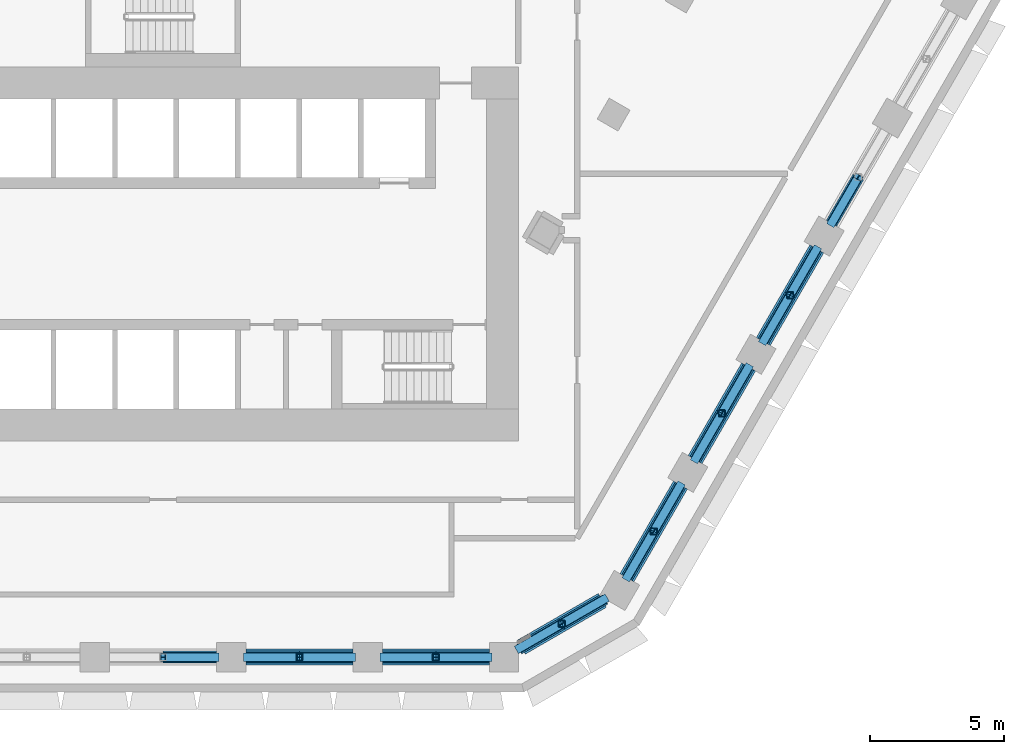
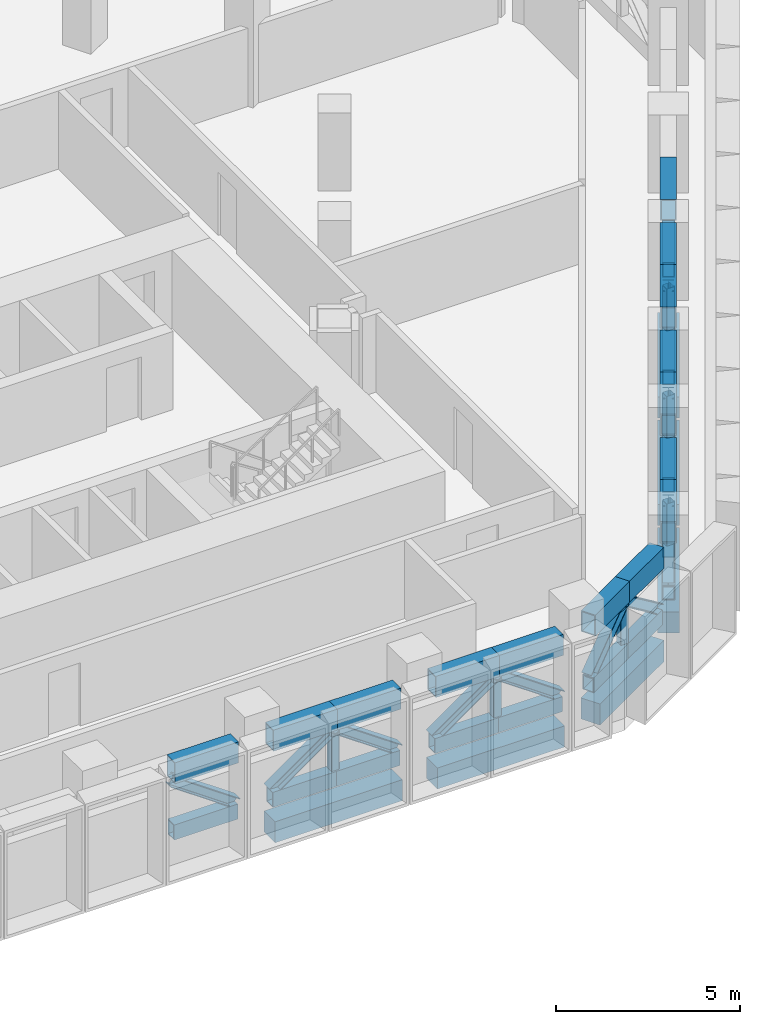
# One storey, part 4 of 22: 48 members, 6 beams.
"""IFC4 building model written with IfcOpenShell, lengths in metres."""

from ifc_helpers import new_model, si_unit, direction, frame, origin, origin_2d, place, context, subcontext, project, spatial, rectangle, hollow_rectangle, i_section, extrude, material, material_profile, profile_set, type_object, element, save


model = new_model("IFC4")

# Units and contexts
model_context = context("Model", 3, precision=1e-05, world=origin(), true_north=direction((0.0, 1.0)))
body_context = subcontext(model_context, "Body", "Model", "MODEL_VIEW")
ifc_project = project(units=[si_unit("LENGTHUNIT", "METRE"), si_unit("AREAUNIT", "SQUARE_METRE"), si_unit("VOLUMEUNIT", "CUBIC_METRE"), si_unit("PLANEANGLEUNIT", "RADIAN"), si_unit("MASSUNIT", "GRAM", prefix="KILO")], contexts=[model_context])

# Site, building, storey
site_placement = place(None, origin())
site = spatial("IfcSite", under=ifc_project, at=site_placement, CompositionType="ELEMENT")
building_placement = place(site_placement, origin())
building = spatial("IfcBuilding", under=site, at=building_placement, Name="Beryl Residences", CompositionType="ELEMENT")
storey_placement = place(building_placement, frame((0.0, 0.0, 62.39990234375)))
storey = spatial("IfcBuildingStorey", under=building, at=storey_placement, Name="L19", CompositionType="ELEMENT", Elevation=62.39990234375)

# Members
ifc_material_1 = material(Name="Steel S355", Category="steel")
ifc_material_profile_1 = material_profile(ifc_material_1, hollow_rectangle(XDim=0.35009765625, YDim=0.5, WallThickness=0.02490234375, at=origin_2d()))
ifc_profile_set_1 = profile_set([ifc_material_profile_1], Name="Steel S355")
member_type_1 = type_object("IfcMemberType", Name="BB1 belt truss bottom chord WB 500x350x25", PredefinedType="CHORD", material=ifc_profile_set_1)
for number, where, z_axis, x_axis, name in (
    (1, (0.0009765625, -27.10009765625, 0.25), (1.0, 0.0, 0.0), (0.0, 1.0, 0.0), "Belt truss BB1-S-2b L19"),
    (2, (3.10302734375, -27.10009765625, 0.25), (1.0, 0.0, 0.0), (0.0, 1.0, 0.0), "Belt truss BB1-S-3a L19"),
    (3, (5.10498046875, -27.10009765625, 0.25), (1.0, 0.0, 0.0), (0.0, 1.0, 0.0), "Belt truss BB1-S-3b L19"),
    (4, (8.20703125, -27.10009765625, 0.25), (1.0, 0.0, 0.0), (0.0, 1.0, 0.0), "Belt truss BB1-S-4a L19"),
    (5, (10.208984375, -27.10009765625, 0.25), (1.0, 0.0, 0.0), (0.0, 1.0, 0.0), "Belt truss BB1-S-4b L19"),
):
    element("IfcMember", number, at=place(storey_placement, frame(where, z_axis=z_axis, x_axis=x_axis)), inside=storey, type_object=member_type_1, Name=name, PredefinedType="CHORD", context=body_context, shape_type="SweptSolid", body=[
        extrude(hollow_rectangle(XDim=0.35009765625, YDim=0.5, WallThickness=0.02490234375, at=origin_2d()), origin(), (0.0, 0.0, 1.0), 2.001953125),
    ])
member_1_placement = place(storey_placement, frame((13.31103515625, -26.781982421875, 0.25), z_axis=(0.866017611601, 0.500013496215, 0.0), x_axis=(-0.500013496215, 0.866017611601, 0.0)))
element("IfcMember", 6, at=member_1_placement, inside=storey, type_object=member_type_1, Name="Belt truss BB1-S-5a L19", PredefinedType="CHORD", context=body_context, shape_type="SweptSolid", body=[
    extrude(hollow_rectangle(XDim=0.35009765625, YDim=0.5, WallThickness=0.02490234375, at=origin_2d()), origin(), (0.0, 0.0, 1.0), 1.86376953125),
])
member_2_placement = place(storey_placement, frame((14.925048828125, -25.85009765625, 0.25), z_axis=(0.866091842883, 0.499884906444, 0.0), x_axis=(-0.499884906444, 0.866091842883, 0.0)))
element("IfcMember", 7, at=member_2_placement, inside=storey, type_object=member_type_1, Name="Belt truss BB1-S-5b L19", PredefinedType="CHORD", context=body_context, shape_type="SweptSolid", body=[
    extrude(hollow_rectangle(XDim=0.35009765625, YDim=0.5, WallThickness=0.02490234375, at=origin_2d()), origin(), (0.0, 0.0, 1.0), 1.86474609375),
])
for number, where, z_axis, x_axis, name in (
    (8, (17.364990234375, -24.1240234375, 0.25), (0.499915960366, 0.866073918653, 0.0), (-0.866073918653, 0.499915960366, 0.0), "Belt truss BB1-SE-0a L19"),
    (9, (18.365966796875, -22.389892578125, 0.25), (0.499968756647, 0.866043441391, 0.0), (-0.866043441391, 0.499968756647, 0.0), "Belt truss BB1-SE-0b L19"),
    (10, (19.9169921875, -19.7041015625, 0.25), (0.499915960366, 0.866073918653, 0.0), (-0.866073918653, 0.499915960366, 0.0), "Belt truss BB1-SE-1a L19"),
):
    element("IfcMember", number, at=place(storey_placement, frame(where, z_axis=z_axis, x_axis=x_axis)), inside=storey, type_object=member_type_1, Name=name, PredefinedType="CHORD", context=body_context, shape_type="SweptSolid", body=[
        extrude(hollow_rectangle(XDim=0.35009765625, YDim=0.5, WallThickness=0.02490234375, at=origin_2d()), origin(), (0.0, 0.0, 1.0), 2.002197265625),
    ])
member_3_placement = place(storey_placement, frame((20.91796875, -17.969970703125, 0.25), z_axis=(0.49975762727, 0.866165292531, 0.0), x_axis=(-0.866165292531, 0.49975762727, 0.0)))
element("IfcMember", 11, at=member_3_placement, inside=storey, type_object=member_type_1, Name="Belt truss BB1-SE-1b L19", PredefinedType="CHORD", context=body_context, shape_type="SweptSolid", body=[
    extrude(hollow_rectangle(XDim=0.35009765625, YDim=0.5, WallThickness=0.02490234375, at=origin_2d()), origin(), (0.0, 0.0, 1.0), 2.0029296875),
])
for number, where, z_axis, x_axis, name in (
    (12, (22.468994140625, -15.282958984375, 0.25), (0.499968756647, 0.866043441391, 0.0), (-0.866043441391, 0.499968756647, 0.0), "Belt truss BB1-SE-2a L19"),
    (13, (23.469970703125, -13.549072265625, 0.25), (0.499915960366, 0.866073918653, 0.0), (-0.866073918653, 0.499915960366, 0.0), "Belt truss BB1-SE-2b L19"),
    (14, (25.02099609375, -10.863037109375, 0.25), (0.499915960366, 0.866073918653, 0.0), (-0.866073918653, 0.499915960366, 0.0), "Belt truss BB1-SE-3a L19"),
):
    element("IfcMember", number, at=place(storey_placement, frame(where, z_axis=z_axis, x_axis=x_axis)), inside=storey, type_object=member_type_1, Name=name, PredefinedType="CHORD", context=body_context, shape_type="SweptSolid", body=[
        extrude(hollow_rectangle(XDim=0.35009765625, YDim=0.5, WallThickness=0.02490234375, at=origin_2d()), origin(), (0.0, 0.0, 1.0), 2.002197265625),
    ])
ifc_material_2 = material(Name="Steel S355", Category="steel")
ifc_material_profile_2 = material_profile(ifc_material_2, i_section(OverallWidth=0.31103515625, OverallDepth=0.326904296875, WebThickness=0.015625, FlangeThickness=0.02490234375, FilletRadius=0.0166015625, at=origin_2d()))
ifc_profile_set_2 = profile_set([ifc_material_profile_2], Name="Steel S355")
member_type_2 = type_object("IfcMemberType", Name="BD1 belt truss diagonal 310UC158", PredefinedType="BRACE", material=ifc_profile_set_2)
for number, where, z_axis, x_axis, name in (
    (15, (2.0029296875, -27.10009765625, 0.5), (-0.81946659841, 0.0, 0.573126944132), (0.0, -1.0, 0.0), "Belt truss BD1-S-2b L19"),
    (16, (3.10302734375, -27.10009765625, 0.5), (0.81946659841, 0.0, 0.573126944132), (0.0, 1.0, 0.0), "Belt truss BD1-S-3a L19"),
    (17, (7.10693359375, -27.10009765625, 0.5), (-0.81946659841, 0.0, 0.573126944132), (0.0, -1.0, 0.0), "Belt truss BD1-S-3b L19"),
    (18, (8.20703125, -27.10009765625, 0.5), (0.81946659841, 0.0, 0.573126944132), (0.0, 1.0, 0.0), "Belt truss BD1-S-4a L19"),
    (19, (12.2109375, -27.10009765625, 0.5), (-0.81946659841, 0.0, 0.573126944132), (0.0, -1.0, 0.0), "Belt truss BD1-S-4b L19"),
):
    element("IfcMember", number, at=place(storey_placement, frame(where, z_axis=z_axis, x_axis=x_axis)), inside=storey, type_object=member_type_2, Name=name, PredefinedType="BRACE", context=body_context, shape_type="SweptSolid", body=[
        extrude(i_section(OverallWidth=0.31103515625, OverallDepth=0.326904296875, WebThickness=0.015625, FlangeThickness=0.02490234375, FilletRadius=0.0166015625, at=origin_2d()), origin(), (0.0, 0.0, 1.0), 2.443115234375),
    ])
member_4_placement = place(storey_placement, frame((13.31103515625, -26.781982421875, 0.5), z_axis=(0.692393537395, 0.399767982489, 0.600646942514), x_axis=(-0.500013496215, 0.866017611601, 0.0)))
element("IfcMember", 20, at=member_4_placement, inside=storey, type_object=member_type_2, Name="Belt truss BD1-S-5a L19", PredefinedType="BRACE", context=body_context, shape_type="SweptSolid", body=[
    extrude(i_section(OverallWidth=0.31103515625, OverallDepth=0.326904296875, WebThickness=0.015625, FlangeThickness=0.02490234375, FilletRadius=0.0166015625, at=origin_2d()), origin(), (0.0, 0.0, 1.0), 2.3310546875),
])
member_5_placement = place(storey_placement, frame((16.5400390625, -24.91796875, 0.5), z_axis=(-0.692582551799, -0.399740012512, 0.600447609156), x_axis=(0.499884906444, -0.866091842883, 0.0)))
element("IfcMember", 21, at=member_5_placement, inside=storey, type_object=member_type_2, Name="Belt truss BD1-S-5b L19", PredefinedType="BRACE", context=body_context, shape_type="SweptSolid", body=[
    extrude(i_section(OverallWidth=0.31103515625, OverallDepth=0.326904296875, WebThickness=0.015625, FlangeThickness=0.02490234375, FilletRadius=0.0166015625, at=origin_2d()), origin(), (0.0, 0.0, 1.0), 2.331787109375),
])
member_6_placement = place(storey_placement, frame((17.364990234375, -24.1240234375, 0.5), z_axis=(0.409687048976, 0.709757831433, 0.573062250214), x_axis=(-0.866073918653, 0.499915960366, 0.0)))
element("IfcMember", 22, at=member_6_placement, inside=storey, type_object=member_type_2, Name="Belt truss BD1-SE-0a L19", PredefinedType="BRACE", context=body_context, shape_type="SweptSolid", body=[
    extrude(i_section(OverallWidth=0.31103515625, OverallDepth=0.326904296875, WebThickness=0.015625, FlangeThickness=0.02490234375, FilletRadius=0.0166015625, at=origin_2d()), origin(), (0.0, 0.0, 1.0), 2.443359375),
])
member_7_placement = place(storey_placement, frame((19.366943359375, -20.656005859375, 0.5), z_axis=(-0.409716105686, -0.709708239654, 0.573102894173), x_axis=(0.866043441391, -0.499968756647, 0.0)))
element("IfcMember", 23, at=member_7_placement, inside=storey, type_object=member_type_2, Name="Belt truss BD1-SE-0b L19", PredefinedType="BRACE", context=body_context, shape_type="SweptSolid", body=[
    extrude(i_section(OverallWidth=0.31103515625, OverallDepth=0.326904296875, WebThickness=0.015625, FlangeThickness=0.02490234375, FilletRadius=0.0166015625, at=origin_2d()), origin(), (0.0, 0.0, 1.0), 2.443115234375),
])
member_8_placement = place(storey_placement, frame((19.9169921875, -19.7041015625, 0.5), z_axis=(0.409687048976, 0.709757831433, 0.573062250214), x_axis=(-0.866073918653, 0.499915960366, 0.0)))
element("IfcMember", 24, at=member_8_placement, inside=storey, type_object=member_type_2, Name="Belt truss BD1-SE-1a L19", PredefinedType="BRACE", context=body_context, shape_type="SweptSolid", body=[
    extrude(i_section(OverallWidth=0.31103515625, OverallDepth=0.326904296875, WebThickness=0.015625, FlangeThickness=0.02490234375, FilletRadius=0.0166015625, at=origin_2d()), origin(), (0.0, 0.0, 1.0), 2.443359375),
])
member_9_placement = place(storey_placement, frame((21.9189453125, -16.235107421875, 0.5), z_axis=(-0.409599891397, -0.709906543479, 0.572940335893), x_axis=(0.866165292531, -0.49975762727, 0.0)))
element("IfcMember", 25, at=member_9_placement, inside=storey, type_object=member_type_2, Name="Belt truss BD1-SE-1b L19", PredefinedType="BRACE", context=body_context, shape_type="SweptSolid", body=[
    extrude(i_section(OverallWidth=0.31103515625, OverallDepth=0.326904296875, WebThickness=0.015625, FlangeThickness=0.02490234375, FilletRadius=0.0166015625, at=origin_2d()), origin(), (0.0, 0.0, 1.0), 2.44384765625),
])
member_10_placement = place(storey_placement, frame((22.468994140625, -15.282958984375, 0.5), z_axis=(0.409716105686, 0.709708239654, 0.573102894173), x_axis=(-0.866043441391, 0.499968756647, 0.0)))
element("IfcMember", 26, at=member_10_placement, inside=storey, type_object=member_type_2, Name="Belt truss BD1-SE-2a L19", PredefinedType="BRACE", context=body_context, shape_type="SweptSolid", body=[
    extrude(i_section(OverallWidth=0.31103515625, OverallDepth=0.326904296875, WebThickness=0.015625, FlangeThickness=0.02490234375, FilletRadius=0.0166015625, at=origin_2d()), origin(), (0.0, 0.0, 1.0), 2.443115234375),
])
for number, where, z_axis, x_axis, name in (
    (27, (24.470947265625, -11.81494140625, 0.5), (-0.409687048976, -0.709757831433, 0.573062250214), (0.866073918653, -0.499915960366, 0.0), "Belt truss BD1-SE-2b L19"),
    (28, (25.02099609375, -10.863037109375, 0.5), (0.409687048976, 0.709757831433, 0.573062250214), (-0.866073918653, 0.499915960366, 0.0), "Belt truss BD1-SE-3a L19"),
):
    element("IfcMember", number, at=place(storey_placement, frame(where, z_axis=z_axis, x_axis=x_axis)), inside=storey, type_object=member_type_2, Name=name, PredefinedType="BRACE", context=body_context, shape_type="SweptSolid", body=[
        extrude(i_section(OverallWidth=0.31103515625, OverallDepth=0.326904296875, WebThickness=0.015625, FlangeThickness=0.02490234375, FilletRadius=0.0166015625, at=origin_2d()), origin(), (0.0, 0.0, 1.0), 2.443359375),
    ])
ifc_material_3 = material(Name="Steel S355", Category="steel")
ifc_material_profile_3 = material_profile(ifc_material_3, hollow_rectangle(XDim=0.25, YDim=0.25, WallThickness=0.009033203125, InnerFilletRadius=0.009033203125, OuterFilletRadius=0.01806640625, at=origin_2d()))
ifc_profile_set_3 = profile_set([ifc_material_profile_3], Name="Steel S355")
member_type_3 = type_object("IfcMemberType", Name="BQ1 belt truss post SHS 250x250x9", PredefinedType="POST", material=ifc_profile_set_3)
for number, where, z_axis, x_axis, name in (
    (29, (5.10498046875, -27.10009765625, 0.5), (0.0, 0.0, 1.0), (1.0, 0.0, 0.0), "Belt truss BQ1-S-3 L19"),
    (30, (10.208984375, -27.10009765625, 0.5), (0.0, 0.0, 1.0), (1.0, 0.0, 0.0), "Belt truss BQ1-S-4 L19"),
    (31, (14.925048828125, -25.85009765625, 0.5), (0.0, 0.0, 1.0), (1.0, 0.0, 0.0), "Belt truss BQ1-S-5 L19"),
    (32, (18.365966796875, -22.389892578125, 0.5), (0.0, 0.0, 1.0), (1.0, 0.0, 0.0), "Belt truss BQ1-SE-0 L19"),
    (33, (20.91796875, -17.969970703125, 0.5), (0.0, 0.0, 1.0), (1.0, 0.0, 0.0), "Belt truss BQ1-SE-1 L19"),
    (34, (23.469970703125, -13.549072265625, 0.5), (0.0, 0.0, 1.0), (1.0, 0.0, 0.0), "Belt truss BQ1-SE-2 L19"),
):
    element("IfcMember", number, at=place(storey_placement, frame(where, z_axis=z_axis, x_axis=x_axis)), inside=storey, type_object=member_type_3, Name=name, PredefinedType="POST", context=body_context, shape_type="SweptSolid", body=[
        extrude(hollow_rectangle(XDim=0.25, YDim=0.25, WallThickness=0.009033203125, InnerFilletRadius=0.009033203125, OuterFilletRadius=0.01806640625, at=origin_2d()), origin(), (0.0, 0.0, 1.0), 1.400146484375),
    ])
ifc_material_4 = material(Name="Steel S355", Category="steel")
ifc_material_profile_4 = material_profile(ifc_material_4, hollow_rectangle(XDim=0.449951171875, YDim=0.699951171875, WallThickness=0.034912109375, at=origin_2d()))
ifc_profile_set_4 = profile_set([ifc_material_profile_4], Name="Steel S355")
member_type_4 = type_object("IfcMemberType", Name="BT1 belt truss top chord WB 700x450x35", PredefinedType="CHORD", material=ifc_profile_set_4)
for number, where, z_axis, x_axis, name in (
    (35, (0.0009765625, -27.10009765625, 2.25), (1.0, 0.0, 0.0), (0.0, 1.0, 0.0), "Belt truss BT1-S-2b L19"),
    (36, (3.10302734375, -27.10009765625, 2.25), (1.0, 0.0, 0.0), (0.0, 1.0, 0.0), "Belt truss BT1-S-3a L19"),
    (37, (5.10498046875, -27.10009765625, 2.25), (1.0, 0.0, 0.0), (0.0, 1.0, 0.0), "Belt truss BT1-S-3b L19"),
    (38, (8.20703125, -27.10009765625, 2.25), (1.0, 0.0, 0.0), (0.0, 1.0, 0.0), "Belt truss BT1-S-4a L19"),
    (39, (10.208984375, -27.10009765625, 2.25), (1.0, 0.0, 0.0), (0.0, 1.0, 0.0), "Belt truss BT1-S-4b L19"),
):
    element("IfcMember", number, at=place(storey_placement, frame(where, z_axis=z_axis, x_axis=x_axis)), inside=storey, type_object=member_type_4, Name=name, PredefinedType="CHORD", context=body_context, shape_type="SweptSolid", body=[
        extrude(hollow_rectangle(XDim=0.449951171875, YDim=0.699951171875, WallThickness=0.034912109375, at=origin_2d()), origin(), (0.0, 0.0, 1.0), 2.001953125),
    ])
member_11_placement = place(storey_placement, frame((13.31103515625, -26.781982421875, 2.25), z_axis=(0.866017611601, 0.500013496215, 0.0), x_axis=(-0.500013496215, 0.866017611601, 0.0)))
element("IfcMember", 40, at=member_11_placement, inside=storey, type_object=member_type_4, Name="Belt truss BT1-S-5a L19", PredefinedType="CHORD", context=body_context, shape_type="SweptSolid", body=[
    extrude(hollow_rectangle(XDim=0.449951171875, YDim=0.699951171875, WallThickness=0.034912109375, at=origin_2d()), origin(), (0.0, 0.0, 1.0), 1.86376953125),
])
member_12_placement = place(storey_placement, frame((14.925048828125, -25.85009765625, 2.25), z_axis=(0.866091842883, 0.499884906444, 0.0), x_axis=(-0.499884906444, 0.866091842883, 0.0)))
element("IfcMember", 41, at=member_12_placement, inside=storey, type_object=member_type_4, Name="Belt truss BT1-S-5b L19", PredefinedType="CHORD", context=body_context, shape_type="SweptSolid", body=[
    extrude(hollow_rectangle(XDim=0.449951171875, YDim=0.699951171875, WallThickness=0.034912109375, at=origin_2d()), origin(), (0.0, 0.0, 1.0), 1.86474609375),
])
for number, where, z_axis, x_axis, name in (
    (42, (17.364990234375, -24.1240234375, 2.25), (0.499915960366, 0.866073918653, 0.0), (-0.866073918653, 0.499915960366, 0.0), "Belt truss BT1-SE-0a L19"),
    (43, (18.365966796875, -22.389892578125, 2.25), (0.499968756647, 0.866043441391, 0.0), (-0.866043441391, 0.499968756647, 0.0), "Belt truss BT1-SE-0b L19"),
    (44, (19.9169921875, -19.7041015625, 2.25), (0.499915960366, 0.866073918653, 0.0), (-0.866073918653, 0.499915960366, 0.0), "Belt truss BT1-SE-1a L19"),
):
    element("IfcMember", number, at=place(storey_placement, frame(where, z_axis=z_axis, x_axis=x_axis)), inside=storey, type_object=member_type_4, Name=name, PredefinedType="CHORD", context=body_context, shape_type="SweptSolid", body=[
        extrude(hollow_rectangle(XDim=0.449951171875, YDim=0.699951171875, WallThickness=0.034912109375, at=origin_2d()), origin(), (0.0, 0.0, 1.0), 2.002197265625),
    ])
member_13_placement = place(storey_placement, frame((20.91796875, -17.969970703125, 2.25), z_axis=(0.49975762727, 0.866165292531, 0.0), x_axis=(-0.866165292531, 0.49975762727, 0.0)))
element("IfcMember", 45, at=member_13_placement, inside=storey, type_object=member_type_4, Name="Belt truss BT1-SE-1b L19", PredefinedType="CHORD", context=body_context, shape_type="SweptSolid", body=[
    extrude(hollow_rectangle(XDim=0.449951171875, YDim=0.699951171875, WallThickness=0.034912109375, at=origin_2d()), origin(), (0.0, 0.0, 1.0), 2.0029296875),
])
for number, where, z_axis, x_axis, name in (
    (46, (22.468994140625, -15.282958984375, 2.25), (0.499968756647, 0.866043441391, 0.0), (-0.866043441391, 0.499968756647, 0.0), "Belt truss BT1-SE-2a L19"),
    (47, (23.469970703125, -13.549072265625, 2.25), (0.499915960366, 0.866073918653, 0.0), (-0.866073918653, 0.499915960366, 0.0), "Belt truss BT1-SE-2b L19"),
    (48, (25.02099609375, -10.863037109375, 2.25), (0.499915960366, 0.866073918653, 0.0), (-0.866073918653, 0.499915960366, 0.0), "Belt truss BT1-SE-3a L19"),
):
    element("IfcMember", number, at=place(storey_placement, frame(where, z_axis=z_axis, x_axis=x_axis)), inside=storey, type_object=member_type_4, Name=name, PredefinedType="CHORD", context=body_context, shape_type="SweptSolid", body=[
        extrude(hollow_rectangle(XDim=0.449951171875, YDim=0.699951171875, WallThickness=0.034912109375, at=origin_2d()), origin(), (0.0, 0.0, 1.0), 2.002197265625),
    ])

# Beams
ifc_material_5 = material(Name="Concrete C80/95", Category="concrete")
ifc_material_profile_5 = material_profile(ifc_material_5, rectangle(XDim=0.60009765625, YDim=0.699951171875, at=origin_2d()))
ifc_profile_set_5 = profile_set([ifc_material_profile_5], Name="Concrete C80/95")
beam_type = type_object("IfcBeamType", Name="SB1 spandrel beam 600 x 700 C80/95", PredefinedType="SPANDREL", material=ifc_profile_set_5)
for number, where, z_axis, x_axis, name in (
    (49, (3.10302734375, -27.10009765625, -0.75), (1.0, 0.0, 0.0), (0.0, 1.0, 0.0), "SB1 L19 S-3"),
    (50, (8.20703125, -27.10009765625, -0.75), (1.0, 0.0, 0.0), (0.0, 1.0, 0.0), "SB1 L19 S-4"),
):
    element("IfcBeam", number, at=place(storey_placement, frame(where, z_axis=z_axis, x_axis=x_axis)), inside=storey, type_object=beam_type, Name=name, PredefinedType="SPANDREL", context=body_context, shape_type="SweptSolid", body=[
        extrude(rectangle(XDim=0.60009765625, YDim=0.699951171875, at=origin_2d()), origin(), (0.0, 0.0, 1.0), 4.00390625),
    ])
beam_1_placement = place(storey_placement, frame((13.410888671875, -26.72412109375, -0.75), z_axis=(0.866121658299, 0.499833245218, 0.0), x_axis=(-0.499833245218, 0.866121658299, 0.0)))
element("IfcBeam", 51, at=beam_1_placement, inside=storey, type_object=beam_type, Name="SB1 L19 S-5", PredefinedType="SPANDREL", context=body_context, shape_type="SweptSolid", body=[
    extrude(rectangle(XDim=0.60009765625, YDim=0.699951171875, at=origin_2d()), origin(), (0.0, 0.0, 1.0), 3.497314453125),
])
beam_2_placement = place(storey_placement, frame((17.364990234375, -24.1240234375, -0.75), z_axis=(0.499942357345, 0.866058681229, 0.0), x_axis=(-0.866058681229, 0.499942357345, 0.0)))
element("IfcBeam", 52, at=beam_2_placement, inside=storey, type_object=beam_type, Name="SB1 L19 SE-0", PredefinedType="SPANDREL", context=body_context, shape_type="SweptSolid", body=[
    extrude(rectangle(XDim=0.60009765625, YDim=0.699951171875, at=origin_2d()), origin(), (0.0, 0.0, 1.0), 4.00439453125),
])
beam_3_placement = place(storey_placement, frame((19.9169921875, -19.7041015625, -0.75), z_axis=(0.499836783367, 0.866119616446, 0.0), x_axis=(-0.866119616446, 0.499836783367, 0.0)))
element("IfcBeam", 53, at=beam_3_placement, inside=storey, type_object=beam_type, Name="SB1 L19 SE-1", PredefinedType="SPANDREL", context=body_context, shape_type="SweptSolid", body=[
    extrude(rectangle(XDim=0.60009765625, YDim=0.699951171875, at=origin_2d()), origin(), (0.0, 0.0, 1.0), 4.005126953125),
])
beam_4_placement = place(storey_placement, frame((22.468994140625, -15.282958984375, -0.75), z_axis=(0.499942357345, 0.866058681229, 0.0), x_axis=(-0.866058681229, 0.499942357345, 0.0)))
element("IfcBeam", 54, at=beam_4_placement, inside=storey, type_object=beam_type, Name="SB1 L19 SE-2", PredefinedType="SPANDREL", context=body_context, shape_type="SweptSolid", body=[
    extrude(rectangle(XDim=0.60009765625, YDim=0.699951171875, at=origin_2d()), origin(), (0.0, 0.0, 1.0), 4.00439453125),
])

save(model, "model.ifc")
